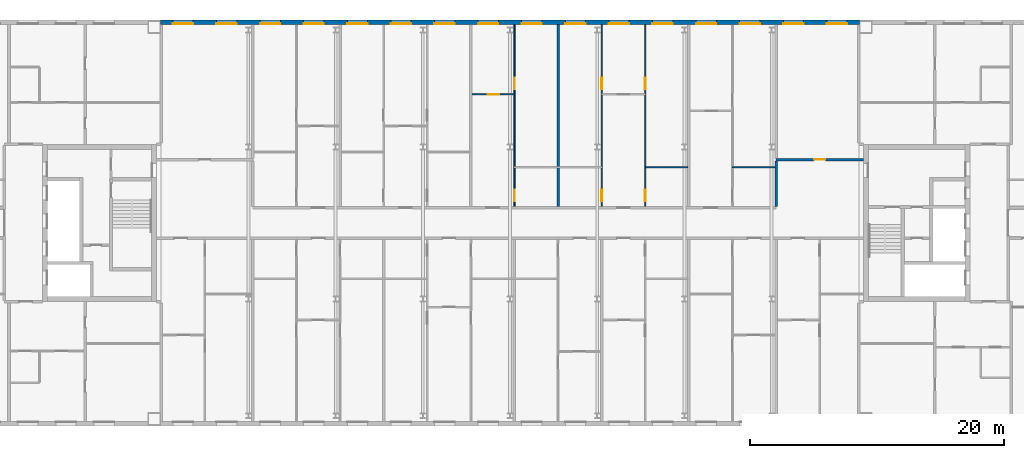
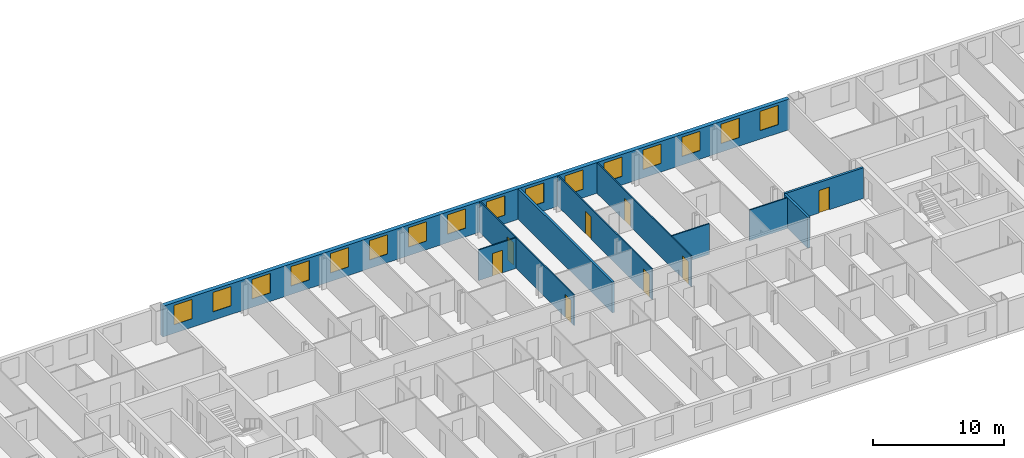
# One storey, part 12 of 19: 16 windows, 10 walls, 8 doors, 24 openings.
"""IFC4 building model written with IfcOpenShell, lengths in metres."""

from ifc_helpers import new_model, si_unit, direction, frame, frame_2d, origin, place, context, subcontext, project, spatial, rectangle, extrude, material, layer, layer_set, type_object, element, fill, save


model = new_model("IFC4")

# Units and contexts
model_context = context("Model", 3, precision=1e-05, world=origin(), true_north=direction((0.0, 1.0)))
body_context = subcontext(model_context, "Body", "Model", "MODEL_VIEW")
ifc_project = project(units=[si_unit("LENGTHUNIT", "METRE"), si_unit("AREAUNIT", "SQUARE_METRE"), si_unit("VOLUMEUNIT", "CUBIC_METRE"), si_unit("PLANEANGLEUNIT", "RADIAN"), si_unit("MASSUNIT", "GRAM", prefix="KILO")], contexts=[model_context])

# Site, building, storey
site_placement = place(None, origin())
site = spatial("IfcSite", under=ifc_project, at=site_placement, CompositionType="ELEMENT")
building_placement = place(site_placement, origin())
building = spatial("IfcBuilding", under=site, at=building_placement, Name="Tuart Gate Housing", CompositionType="ELEMENT")
storey_placement = place(building_placement, frame((0.0, 0.0, 224.5)))
storey = spatial("IfcBuildingStorey", under=building, at=storey_placement, Name="L63", CompositionType="ELEMENT", Elevation=224.5)

# Wall, openings, windows
ifc_material_1 = material(Name="Brick", Category="masonry")
ifc_layer_1 = layer(ifc_material_1, 0.360107421875)
ifc_layer_set_1 = layer_set([ifc_layer_1], Name="Brick pier and spandrel wall 360")
wall_type_1 = type_object("IfcWallType", Name="Brick pier and spandrel wall 360", PredefinedType="STANDARD", material=ifc_layer_set_1)
wall_1_placement = place(storey_placement, frame((131.050048828125, 85.820068359375, 0.0), z_axis=(0.0, 0.0, 1.0), x_axis=(-1.0, 0.0, 0.0)))
wall_1 = element("IfcWall", 1, at=wall_1_placement, inside=storey, type_object=wall_type_1, Name="External wall BLK-N L63", PredefinedType="STANDARD", context=body_context, shape_type="SweptSolid", body=[
    extrude(rectangle(XDim=55.10009765625, YDim=0.360107421875, at=frame_2d((27.550048828125, 0.0))), origin(), (0.0, 0.0, 1.0), 2.85009765625),
])
opening_1_placement = place(wall_1_placement, frame((0.96875, 0.0, 0.800048828125)))
opening_1 = element("IfcOpeningElement", 2, at=opening_1_placement, cuts=wall_1, Name="Opening W1", PredefinedType="OPENING", context=body_context, shape_type="SweptSolid", body=[
    extrude(rectangle(XDim=1.60009765625, YDim=1.800048828125, at=frame_2d((0.800048828125, 0.89990234375))), frame((0.0, 0.18994140625, 0.0), z_axis=(0.0, -1.0, 0.0), x_axis=(1.0, 0.0, 0.0)), (0.0, 0.0, 1.0), 0.380126953125),
])
opening_2_placement = place(wall_1_placement, frame((4.40625, 0.0, 0.800048828125)))
opening_2 = element("IfcOpeningElement", 3, at=opening_2_placement, cuts=wall_1, Name="Opening W1", PredefinedType="OPENING", context=body_context, shape_type="SweptSolid", body=[
    extrude(rectangle(XDim=1.60009765625, YDim=1.800048828125, at=frame_2d((0.800048828125, 0.89990234375))), frame((0.0, 0.18994140625, 0.0), z_axis=(0.0, -1.0, 0.0), x_axis=(1.0, 0.0, 0.0)), (0.0, 0.0, 1.0), 0.380126953125),
])
opening_3_placement = place(wall_1_placement, frame((7.84375, 0.0, 0.800048828125)))
opening_3 = element("IfcOpeningElement", 4, at=opening_3_placement, cuts=wall_1, Name="Opening W1", PredefinedType="OPENING", context=body_context, shape_type="SweptSolid", body=[
    extrude(rectangle(XDim=1.60009765625, YDim=1.800048828125, at=frame_2d((0.800048828125, 0.89990234375))), frame((0.0, 0.18994140625, 0.0), z_axis=(0.0, -1.0, 0.0), x_axis=(1.0, 0.0, 0.0)), (0.0, 0.0, 1.0), 0.380126953125),
])
opening_4_placement = place(wall_1_placement, frame((11.28125, 0.0, 0.800048828125)))
opening_4 = element("IfcOpeningElement", 5, at=opening_4_placement, cuts=wall_1, Name="Opening W1", PredefinedType="OPENING", context=body_context, shape_type="SweptSolid", body=[
    extrude(rectangle(XDim=1.60009765625, YDim=1.800048828125, at=frame_2d((0.800048828125, 0.89990234375))), frame((0.0, 0.18994140625, 0.0), z_axis=(0.0, -1.0, 0.0), x_axis=(1.0, 0.0, 0.0)), (0.0, 0.0, 1.0), 0.380126953125),
])
opening_5_placement = place(wall_1_placement, frame((14.71875, 0.0, 0.800048828125)))
opening_5 = element("IfcOpeningElement", 6, at=opening_5_placement, cuts=wall_1, Name="Opening W1", PredefinedType="OPENING", context=body_context, shape_type="SweptSolid", body=[
    extrude(rectangle(XDim=1.60009765625, YDim=1.800048828125, at=frame_2d((0.800048828125, 0.89990234375))), frame((0.0, 0.18994140625, 0.0), z_axis=(0.0, -1.0, 0.0), x_axis=(1.0, 0.0, 0.0)), (0.0, 0.0, 1.0), 0.380126953125),
])
opening_6_placement = place(wall_1_placement, frame((18.15625, 0.0, 0.800048828125)))
opening_6 = element("IfcOpeningElement", 7, at=opening_6_placement, cuts=wall_1, Name="Opening W1", PredefinedType="OPENING", context=body_context, shape_type="SweptSolid", body=[
    extrude(rectangle(XDim=1.60009765625, YDim=1.800048828125, at=frame_2d((0.800048828125, 0.89990234375))), frame((0.0, 0.18994140625, 0.0), z_axis=(0.0, -1.0, 0.0), x_axis=(1.0, 0.0, 0.0)), (0.0, 0.0, 1.0), 0.380126953125),
])
opening_7_placement = place(wall_1_placement, frame((21.59375, 0.0, 0.800048828125)))
opening_7 = element("IfcOpeningElement", 8, at=opening_7_placement, cuts=wall_1, Name="Opening W1", PredefinedType="OPENING", context=body_context, shape_type="SweptSolid", body=[
    extrude(rectangle(XDim=1.60009765625, YDim=1.800048828125, at=frame_2d((0.800048828125, 0.89990234375))), frame((0.0, 0.18994140625, 0.0), z_axis=(0.0, -1.0, 0.0), x_axis=(1.0, 0.0, 0.0)), (0.0, 0.0, 1.0), 0.380126953125),
])
opening_8_placement = place(wall_1_placement, frame((25.03125, 0.0, 0.800048828125)))
opening_8 = element("IfcOpeningElement", 9, at=opening_8_placement, cuts=wall_1, Name="Opening W1", PredefinedType="OPENING", context=body_context, shape_type="SweptSolid", body=[
    extrude(rectangle(XDim=1.60009765625, YDim=1.800048828125, at=frame_2d((0.800048828125, 0.89990234375))), frame((0.0, 0.18994140625, 0.0), z_axis=(0.0, -1.0, 0.0), x_axis=(1.0, 0.0, 0.0)), (0.0, 0.0, 1.0), 0.380126953125),
])
opening_9_placement = place(wall_1_placement, frame((28.46875, 0.0, 0.800048828125)))
opening_9 = element("IfcOpeningElement", 10, at=opening_9_placement, cuts=wall_1, Name="Opening W1", PredefinedType="OPENING", context=body_context, shape_type="SweptSolid", body=[
    extrude(rectangle(XDim=1.60009765625, YDim=1.800048828125, at=frame_2d((0.800048828125, 0.89990234375))), frame((0.0, 0.18994140625, 0.0), z_axis=(0.0, -1.0, 0.0), x_axis=(1.0, 0.0, 0.0)), (0.0, 0.0, 1.0), 0.380126953125),
])
opening_10_placement = place(wall_1_placement, frame((31.90625, 0.0, 0.800048828125)))
opening_10 = element("IfcOpeningElement", 11, at=opening_10_placement, cuts=wall_1, Name="Opening W1", PredefinedType="OPENING", context=body_context, shape_type="SweptSolid", body=[
    extrude(rectangle(XDim=1.60009765625, YDim=1.800048828125, at=frame_2d((0.800048828125, 0.89990234375))), frame((0.0, 0.18994140625, 0.0), z_axis=(0.0, -1.0, 0.0), x_axis=(1.0, 0.0, 0.0)), (0.0, 0.0, 1.0), 0.380126953125),
])
opening_11_placement = place(wall_1_placement, frame((35.34375, 0.0, 0.800048828125)))
opening_11 = element("IfcOpeningElement", 12, at=opening_11_placement, cuts=wall_1, Name="Opening W1", PredefinedType="OPENING", context=body_context, shape_type="SweptSolid", body=[
    extrude(rectangle(XDim=1.60009765625, YDim=1.800048828125, at=frame_2d((0.800048828125, 0.89990234375))), frame((0.0, 0.18994140625, 0.0), z_axis=(0.0, -1.0, 0.0), x_axis=(1.0, 0.0, 0.0)), (0.0, 0.0, 1.0), 0.380126953125),
])
opening_12_placement = place(wall_1_placement, frame((38.78125, 0.0, 0.800048828125)))
opening_12 = element("IfcOpeningElement", 13, at=opening_12_placement, cuts=wall_1, Name="Opening W1", PredefinedType="OPENING", context=body_context, shape_type="SweptSolid", body=[
    extrude(rectangle(XDim=1.60009765625, YDim=1.800048828125, at=frame_2d((0.800048828125, 0.89990234375))), frame((0.0, 0.18994140625, 0.0), z_axis=(0.0, -1.0, 0.0), x_axis=(1.0, 0.0, 0.0)), (0.0, 0.0, 1.0), 0.380126953125),
])
opening_13_placement = place(wall_1_placement, frame((42.21875, 0.0, 0.800048828125)))
opening_13 = element("IfcOpeningElement", 14, at=opening_13_placement, cuts=wall_1, Name="Opening W1", PredefinedType="OPENING", context=body_context, shape_type="SweptSolid", body=[
    extrude(rectangle(XDim=1.60009765625, YDim=1.800048828125, at=frame_2d((0.800048828125, 0.89990234375))), frame((0.0, 0.18994140625, 0.0), z_axis=(0.0, -1.0, 0.0), x_axis=(1.0, 0.0, 0.0)), (0.0, 0.0, 1.0), 0.380126953125),
])
opening_14_placement = place(wall_1_placement, frame((45.65625, 0.0, 0.800048828125)))
opening_14 = element("IfcOpeningElement", 15, at=opening_14_placement, cuts=wall_1, Name="Opening W1", PredefinedType="OPENING", context=body_context, shape_type="SweptSolid", body=[
    extrude(rectangle(XDim=1.60009765625, YDim=1.800048828125, at=frame_2d((0.800048828125, 0.89990234375))), frame((0.0, 0.18994140625, 0.0), z_axis=(0.0, -1.0, 0.0), x_axis=(1.0, 0.0, 0.0)), (0.0, 0.0, 1.0), 0.380126953125),
])
opening_15_placement = place(wall_1_placement, frame((49.09375, 0.0, 0.800048828125)))
opening_15 = element("IfcOpeningElement", 16, at=opening_15_placement, cuts=wall_1, Name="Opening W1", PredefinedType="OPENING", context=body_context, shape_type="SweptSolid", body=[
    extrude(rectangle(XDim=1.60009765625, YDim=1.800048828125, at=frame_2d((0.800048828125, 0.89990234375))), frame((0.0, 0.18994140625, 0.0), z_axis=(0.0, -1.0, 0.0), x_axis=(1.0, 0.0, 0.0)), (0.0, 0.0, 1.0), 0.380126953125),
])
opening_16_placement = place(wall_1_placement, frame((52.53125, 0.0, 0.800048828125)))
opening_16 = element("IfcOpeningElement", 17, at=opening_16_placement, cuts=wall_1, Name="Opening W1", PredefinedType="OPENING", context=body_context, shape_type="SweptSolid", body=[
    extrude(rectangle(XDim=1.60009765625, YDim=1.800048828125, at=frame_2d((0.800048828125, 0.89990234375))), frame((0.0, 0.18994140625, 0.0), z_axis=(0.0, -1.0, 0.0), x_axis=(1.0, 0.0, 0.0)), (0.0, 0.0, 1.0), 0.380126953125),
])
ifc_material_2 = material(Name="Aluminium frame with clear glass", Category="aluminium")
window_type = type_object("IfcWindowType", Name="Punched window 1600 x 1800", PartitioningType="SINGLE_PANEL", PredefinedType="WINDOW", material=ifc_material_2)
window_1_placement = place(opening_1_placement, origin())
window_1 = element("IfcWindow", 18, at=window_1_placement, inside=storey, type_object=window_type, Name="Window W1", OverallHeight=1.800048828125, OverallWidth=1.60009765625, PartitioningType="SINGLE_PANEL", PredefinedType="WINDOW", context=body_context, shape_type="SweptSolid", body=[
    extrude(rectangle(XDim=1.60009765625, YDim=1.800048828125, at=frame_2d((0.800048828125, 0.89990234375))), frame((0.0, 0.150146484375, 0.0), z_axis=(0.0, -1.0, 0.0), x_axis=(1.0, 0.0, 0.0)), (0.0, 0.0, 1.0), 0.06005859375),
])
fill(opening_1, window_1)
window_2_placement = place(opening_2_placement, origin())
window_2 = element("IfcWindow", 19, at=window_2_placement, inside=storey, type_object=window_type, Name="Window W1", OverallHeight=1.800048828125, OverallWidth=1.60009765625, PartitioningType="SINGLE_PANEL", PredefinedType="WINDOW", context=body_context, shape_type="SweptSolid", body=[
    extrude(rectangle(XDim=1.60009765625, YDim=1.800048828125, at=frame_2d((0.800048828125, 0.89990234375))), frame((0.0, 0.150146484375, 0.0), z_axis=(0.0, -1.0, 0.0), x_axis=(1.0, 0.0, 0.0)), (0.0, 0.0, 1.0), 0.06005859375),
])
fill(opening_2, window_2)
window_3_placement = place(opening_3_placement, origin())
window_3 = element("IfcWindow", 20, at=window_3_placement, inside=storey, type_object=window_type, Name="Window W1", OverallHeight=1.800048828125, OverallWidth=1.60009765625, PartitioningType="SINGLE_PANEL", PredefinedType="WINDOW", context=body_context, shape_type="SweptSolid", body=[
    extrude(rectangle(XDim=1.60009765625, YDim=1.800048828125, at=frame_2d((0.800048828125, 0.89990234375))), frame((0.0, 0.150146484375, 0.0), z_axis=(0.0, -1.0, 0.0), x_axis=(1.0, 0.0, 0.0)), (0.0, 0.0, 1.0), 0.06005859375),
])
fill(opening_3, window_3)
window_4_placement = place(opening_4_placement, origin())
window_4 = element("IfcWindow", 21, at=window_4_placement, inside=storey, type_object=window_type, Name="Window W1", OverallHeight=1.800048828125, OverallWidth=1.60009765625, PartitioningType="SINGLE_PANEL", PredefinedType="WINDOW", context=body_context, shape_type="SweptSolid", body=[
    extrude(rectangle(XDim=1.60009765625, YDim=1.800048828125, at=frame_2d((0.800048828125, 0.89990234375))), frame((0.0, 0.150146484375, 0.0), z_axis=(0.0, -1.0, 0.0), x_axis=(1.0, 0.0, 0.0)), (0.0, 0.0, 1.0), 0.06005859375),
])
fill(opening_4, window_4)
window_5_placement = place(opening_5_placement, origin())
window_5 = element("IfcWindow", 22, at=window_5_placement, inside=storey, type_object=window_type, Name="Window W1", OverallHeight=1.800048828125, OverallWidth=1.60009765625, PartitioningType="SINGLE_PANEL", PredefinedType="WINDOW", context=body_context, shape_type="SweptSolid", body=[
    extrude(rectangle(XDim=1.60009765625, YDim=1.800048828125, at=frame_2d((0.800048828125, 0.89990234375))), frame((0.0, 0.150146484375, 0.0), z_axis=(0.0, -1.0, 0.0), x_axis=(1.0, 0.0, 0.0)), (0.0, 0.0, 1.0), 0.06005859375),
])
fill(opening_5, window_5)
window_6_placement = place(opening_6_placement, origin())
window_6 = element("IfcWindow", 23, at=window_6_placement, inside=storey, type_object=window_type, Name="Window W1", OverallHeight=1.800048828125, OverallWidth=1.60009765625, PartitioningType="SINGLE_PANEL", PredefinedType="WINDOW", context=body_context, shape_type="SweptSolid", body=[
    extrude(rectangle(XDim=1.60009765625, YDim=1.800048828125, at=frame_2d((0.800048828125, 0.89990234375))), frame((0.0, 0.150146484375, 0.0), z_axis=(0.0, -1.0, 0.0), x_axis=(1.0, 0.0, 0.0)), (0.0, 0.0, 1.0), 0.06005859375),
])
fill(opening_6, window_6)
window_7_placement = place(opening_7_placement, origin())
window_7 = element("IfcWindow", 24, at=window_7_placement, inside=storey, type_object=window_type, Name="Window W1", OverallHeight=1.800048828125, OverallWidth=1.60009765625, PartitioningType="SINGLE_PANEL", PredefinedType="WINDOW", context=body_context, shape_type="SweptSolid", body=[
    extrude(rectangle(XDim=1.60009765625, YDim=1.800048828125, at=frame_2d((0.800048828125, 0.89990234375))), frame((0.0, 0.150146484375, 0.0), z_axis=(0.0, -1.0, 0.0), x_axis=(1.0, 0.0, 0.0)), (0.0, 0.0, 1.0), 0.06005859375),
])
fill(opening_7, window_7)
window_8_placement = place(opening_8_placement, origin())
window_8 = element("IfcWindow", 25, at=window_8_placement, inside=storey, type_object=window_type, Name="Window W1", OverallHeight=1.800048828125, OverallWidth=1.60009765625, PartitioningType="SINGLE_PANEL", PredefinedType="WINDOW", context=body_context, shape_type="SweptSolid", body=[
    extrude(rectangle(XDim=1.60009765625, YDim=1.800048828125, at=frame_2d((0.800048828125, 0.89990234375))), frame((0.0, 0.150146484375, 0.0), z_axis=(0.0, -1.0, 0.0), x_axis=(1.0, 0.0, 0.0)), (0.0, 0.0, 1.0), 0.06005859375),
])
fill(opening_8, window_8)
window_9_placement = place(opening_9_placement, origin())
window_9 = element("IfcWindow", 26, at=window_9_placement, inside=storey, type_object=window_type, Name="Window W1", OverallHeight=1.800048828125, OverallWidth=1.60009765625, PartitioningType="SINGLE_PANEL", PredefinedType="WINDOW", context=body_context, shape_type="SweptSolid", body=[
    extrude(rectangle(XDim=1.60009765625, YDim=1.800048828125, at=frame_2d((0.800048828125, 0.89990234375))), frame((0.0, 0.150146484375, 0.0), z_axis=(0.0, -1.0, 0.0), x_axis=(1.0, 0.0, 0.0)), (0.0, 0.0, 1.0), 0.06005859375),
])
fill(opening_9, window_9)
window_10_placement = place(opening_10_placement, origin())
window_10 = element("IfcWindow", 27, at=window_10_placement, inside=storey, type_object=window_type, Name="Window W1", OverallHeight=1.800048828125, OverallWidth=1.60009765625, PartitioningType="SINGLE_PANEL", PredefinedType="WINDOW", context=body_context, shape_type="SweptSolid", body=[
    extrude(rectangle(XDim=1.60009765625, YDim=1.800048828125, at=frame_2d((0.800048828125, 0.89990234375))), frame((0.0, 0.150146484375, 0.0), z_axis=(0.0, -1.0, 0.0), x_axis=(1.0, 0.0, 0.0)), (0.0, 0.0, 1.0), 0.06005859375),
])
fill(opening_10, window_10)
window_11_placement = place(opening_11_placement, origin())
window_11 = element("IfcWindow", 28, at=window_11_placement, inside=storey, type_object=window_type, Name="Window W1", OverallHeight=1.800048828125, OverallWidth=1.60009765625, PartitioningType="SINGLE_PANEL", PredefinedType="WINDOW", context=body_context, shape_type="SweptSolid", body=[
    extrude(rectangle(XDim=1.60009765625, YDim=1.800048828125, at=frame_2d((0.800048828125, 0.89990234375))), frame((0.0, 0.150146484375, 0.0), z_axis=(0.0, -1.0, 0.0), x_axis=(1.0, 0.0, 0.0)), (0.0, 0.0, 1.0), 0.06005859375),
])
fill(opening_11, window_11)
window_12_placement = place(opening_12_placement, origin())
window_12 = element("IfcWindow", 29, at=window_12_placement, inside=storey, type_object=window_type, Name="Window W1", OverallHeight=1.800048828125, OverallWidth=1.60009765625, PartitioningType="SINGLE_PANEL", PredefinedType="WINDOW", context=body_context, shape_type="SweptSolid", body=[
    extrude(rectangle(XDim=1.60009765625, YDim=1.800048828125, at=frame_2d((0.800048828125, 0.89990234375))), frame((0.0, 0.150146484375, 0.0), z_axis=(0.0, -1.0, 0.0), x_axis=(1.0, 0.0, 0.0)), (0.0, 0.0, 1.0), 0.06005859375),
])
fill(opening_12, window_12)
window_13_placement = place(opening_13_placement, origin())
window_13 = element("IfcWindow", 30, at=window_13_placement, inside=storey, type_object=window_type, Name="Window W1", OverallHeight=1.800048828125, OverallWidth=1.60009765625, PartitioningType="SINGLE_PANEL", PredefinedType="WINDOW", context=body_context, shape_type="SweptSolid", body=[
    extrude(rectangle(XDim=1.60009765625, YDim=1.800048828125, at=frame_2d((0.800048828125, 0.89990234375))), frame((0.0, 0.150146484375, 0.0), z_axis=(0.0, -1.0, 0.0), x_axis=(1.0, 0.0, 0.0)), (0.0, 0.0, 1.0), 0.06005859375),
])
fill(opening_13, window_13)
window_14_placement = place(opening_14_placement, origin())
window_14 = element("IfcWindow", 31, at=window_14_placement, inside=storey, type_object=window_type, Name="Window W1", OverallHeight=1.800048828125, OverallWidth=1.60009765625, PartitioningType="SINGLE_PANEL", PredefinedType="WINDOW", context=body_context, shape_type="SweptSolid", body=[
    extrude(rectangle(XDim=1.60009765625, YDim=1.800048828125, at=frame_2d((0.800048828125, 0.89990234375))), frame((0.0, 0.150146484375, 0.0), z_axis=(0.0, -1.0, 0.0), x_axis=(1.0, 0.0, 0.0)), (0.0, 0.0, 1.0), 0.06005859375),
])
fill(opening_14, window_14)
window_15_placement = place(opening_15_placement, origin())
window_15 = element("IfcWindow", 32, at=window_15_placement, inside=storey, type_object=window_type, Name="Window W1", OverallHeight=1.800048828125, OverallWidth=1.60009765625, PartitioningType="SINGLE_PANEL", PredefinedType="WINDOW", context=body_context, shape_type="SweptSolid", body=[
    extrude(rectangle(XDim=1.60009765625, YDim=1.800048828125, at=frame_2d((0.800048828125, 0.89990234375))), frame((0.0, 0.150146484375, 0.0), z_axis=(0.0, -1.0, 0.0), x_axis=(1.0, 0.0, 0.0)), (0.0, 0.0, 1.0), 0.06005859375),
])
fill(opening_15, window_15)
window_16_placement = place(opening_16_placement, origin())
window_16 = element("IfcWindow", 33, at=window_16_placement, inside=storey, type_object=window_type, Name="Window W1", OverallHeight=1.800048828125, OverallWidth=1.60009765625, PartitioningType="SINGLE_PANEL", PredefinedType="WINDOW", context=body_context, shape_type="SweptSolid", body=[
    extrude(rectangle(XDim=1.60009765625, YDim=1.800048828125, at=frame_2d((0.800048828125, 0.89990234375))), frame((0.0, 0.150146484375, 0.0), z_axis=(0.0, -1.0, 0.0), x_axis=(1.0, 0.0, 0.0)), (0.0, 0.0, 1.0), 0.06005859375),
])
fill(opening_16, window_16)

# Wall, opening, door
ifc_material_3 = material(Name="Concrete masonry 15 MPa", Category="masonry")
ifc_layer_2 = layer(ifc_material_3, 0.199951171875)
ifc_layer_set_2 = layer_set([ifc_layer_2], Name="Corridor wall masonry 200")
wall_type_2 = type_object("IfcWallType", Name="Corridor wall masonry 200", PredefinedType="PARTITIONING", material=ifc_layer_set_2)
wall_2_placement = place(storey_placement, frame((124.47509765625, 75.0, 0.0), z_axis=(0.0, 0.0, 1.0), x_axis=(1.0, 0.0, 0.0)))
wall_2 = element("IfcWall", 34, at=wall_2_placement, inside=storey, type_object=wall_type_2, Name="Corridor wall masonry 200", PredefinedType="PARTITIONING", context=body_context, shape_type="SweptSolid", body=[
    extrude(rectangle(XDim=6.885009765625, YDim=0.199951171875, at=frame_2d((3.4423828125, 0.0))), origin(), (0.0, 0.0, 1.0), 2.85009765625),
])
opening_17_placement = place(wall_2_placement, frame((2.992431640625, 0.0, 0.0)))
opening_17 = element("IfcOpeningElement", 35, at=opening_17_placement, cuts=wall_2, Name="Opening D2353", PredefinedType="OPENING", context=body_context, shape_type="SweptSolid", body=[
    extrude(rectangle(XDim=0.89990234375, YDim=2.10009765625, at=frame_2d((0.449951171875, 1.050048828125))), frame((0.0, 0.10986328125, 0.0), z_axis=(0.0, -1.0, 0.0), x_axis=(1.0, 0.0, 0.0)), (0.0, 0.0, 1.0), 0.219970703125),
])
ifc_material_4 = material(Name="Timber door leaf in steel frame", Category="steel")
door_type_1 = type_object("IfcDoorType", Name="Internal door 900", OperationType="SINGLE_SWING_LEFT", PredefinedType="DOOR", material=ifc_material_4)
door_1_placement = place(opening_17_placement, origin())
door_1 = element("IfcDoor", 36, at=door_1_placement, inside=storey, type_object=door_type_1, Name="Internal door", OperationType="SINGLE_SWING_LEFT", OverallHeight=2.10009765625, OverallWidth=0.89990234375, PredefinedType="DOOR", context=body_context, shape_type="SweptSolid", body=[
    extrude(rectangle(XDim=0.89990234375, YDim=2.10009765625, at=frame_2d((0.449951171875, 1.050048828125))), frame((0.0, 0.02490234375, 0.0), z_axis=(0.0, -1.0, 0.0), x_axis=(1.0, 0.0, 0.0)), (0.0, 0.0, 1.0), 0.050048828125),
])
fill(opening_17, door_1)

# Walls
wall_3_placement = place(storey_placement, frame((124.47509765625, 71.300048828125, 0.0), z_axis=(0.0, 0.0, 1.0), x_axis=(0.0, 1.0, 0.0)))
element("IfcWall", 37, at=wall_3_placement, inside=storey, type_object=wall_type_2, Name="Corridor wall masonry 200", PredefinedType="PARTITIONING", context=body_context, shape_type="SweptSolid", body=[
    extrude(rectangle(XDim=3.599853515625, YDim=0.199951171875, at=frame_2d((1.7998046875, 0.0))), origin(), (0.0, 0.0, 1.0), 2.85009765625),
])
ifc_material_5 = material(Name="Gypsum board on steel studs", Category="steel")
ifc_layer_3 = layer(ifc_material_5, 0.10009765625)
ifc_layer_set_3 = layer_set([ifc_layer_3], Name="Partition 100")
wall_type_3 = type_object("IfcWallType", Name="Partition 100", PredefinedType="PARTITIONING", material=ifc_layer_set_3)
for number, where, z_axis, x_axis, name in (
    (38, (114.162109375, 74.39990234375, 0.0), (0.0, 0.0, 1.0), (1.0, 0.0, 0.0), "Partition 100"),
    (39, (121.037109375, 74.39990234375, 0.0), (0.0, 0.0, 1.0), (1.0, 0.0, 0.0), "Partition 100"),
):
    element("IfcWall", number, at=place(storey_placement, frame(where, z_axis=z_axis, x_axis=x_axis)), inside=storey, type_object=wall_type_3, Name=name, PredefinedType="PARTITIONING", context=body_context, shape_type="SweptSolid", body=[
        extrude(rectangle(XDim=3.337890625, YDim=0.10009765625, at=frame_2d((1.6689453125, 0.0))), origin(), (0.0, 0.0, 1.0), 2.85009765625),
    ])

# Wall, opening, door
wall_4_placement = place(storey_placement, frame((100.511962890625, 80.139892578125, 0.0), z_axis=(0.0, 0.0, 1.0), x_axis=(1.0, 0.0, 0.0)))
wall_4 = element("IfcWall", 40, at=wall_4_placement, inside=storey, type_object=wall_type_3, Name="Partition 100", PredefinedType="PARTITIONING", context=body_context, shape_type="SweptSolid", body=[
    extrude(rectangle(XDim=3.338134765625, YDim=0.10009765625, at=frame_2d((1.6689453125, 0.0))), origin(), (0.0, 0.0, 1.0), 2.85009765625),
])
opening_18_placement = place(wall_4_placement, frame((1.218994140625, 0.0, 0.0)))
opening_18 = element("IfcOpeningElement", 41, at=opening_18_placement, cuts=wall_4, Name="Opening D2333", PredefinedType="OPENING", context=body_context, shape_type="SweptSolid", body=[
    extrude(rectangle(XDim=0.89990234375, YDim=2.10009765625, at=frame_2d((0.449951171875, 1.050048828125))), frame((0.0, 0.06005859375, 0.0), z_axis=(0.0, -1.0, 0.0), x_axis=(1.0, 0.0, 0.0)), (0.0, 0.0, 1.0), 0.1201171875),
])
door_2_placement = place(opening_18_placement, frame((0.89990234375, 0.0, 0.0), z_axis=(0.0, 0.0, 1.0), x_axis=(-1.0, 0.0, 0.0)))
door_2 = element("IfcDoor", 42, at=door_2_placement, inside=storey, type_object=door_type_1, Name="Internal door", OperationType="SINGLE_SWING_LEFT", OverallHeight=2.10009765625, OverallWidth=0.89990234375, PredefinedType="DOOR", context=body_context, shape_type="SweptSolid", body=[
    extrude(rectangle(XDim=0.89990234375, YDim=2.10009765625, at=frame_2d((0.449951171875, 1.050048828125))), frame((0.0, 0.025146484375, 0.0), z_axis=(0.0, -1.0, 0.0), x_axis=(1.0, 0.0, 0.0)), (0.0, 0.0, 1.0), 0.050048828125),
])
fill(opening_18, door_2)

# Wall, openings, doors
wall_5_placement = place(storey_placement, frame((103.85009765625, 71.300048828125, 0.0), z_axis=(0.0, 0.0, 1.0), x_axis=(0.0, 1.0, 0.0)))
wall_5 = element("IfcWall", 43, at=wall_5_placement, inside=storey, type_object=wall_type_3, Name="Partition 100", PredefinedType="PARTITIONING", context=body_context, shape_type="SweptSolid", body=[
    extrude(rectangle(XDim=14.33984375, YDim=0.10009765625, at=frame_2d((7.169921875, 0.0))), origin(), (0.0, 0.0, 1.0), 2.85009765625),
])
opening_19_placement = place(wall_5_placement, frame((9.239990234375, 0.0, 0.0)))
opening_19 = element("IfcOpeningElement", 44, at=opening_19_placement, cuts=wall_5, Name="Opening D2343", PredefinedType="OPENING", context=body_context, shape_type="SweptSolid", body=[
    extrude(rectangle(XDim=0.89990234375, YDim=2.10009765625, at=frame_2d((0.449951171875, 1.050048828125))), frame((0.0, 0.06005859375, 0.0), z_axis=(0.0, -1.0, 0.0), x_axis=(1.0, 0.0, 0.0)), (0.0, 0.0, 1.0), 0.1201171875),
])
opening_20_placement = place(wall_5_placement, frame((0.39990234375, 0.0, 0.0)))
opening_20 = element("IfcOpeningElement", 45, at=opening_20_placement, cuts=wall_5, Name="Opening D2342", PredefinedType="OPENING", context=body_context, shape_type="SweptSolid", body=[
    extrude(rectangle(XDim=0.89990234375, YDim=2.10009765625, at=frame_2d((0.449951171875, 1.050048828125))), frame((0.0, 0.06005859375, 0.0), z_axis=(0.0, -1.0, 0.0), x_axis=(1.0, 0.0, 0.0)), (0.0, 0.0, 1.0), 0.1201171875),
])
ifc_material_6 = material(Name="Timber door leaf in steel frame", Category="steel")
door_type_2 = type_object("IfcDoorType", Name="Bathroom door 900 RH", OperationType="SINGLE_SWING_RIGHT", PredefinedType="DOOR", material=ifc_material_6)
door_3_placement = place(opening_20_placement, frame((0.89990234375, 0.0, 0.0), z_axis=(0.0, 0.0, 1.0), x_axis=(-1.0, 0.0, 0.0)))
door_3 = element("IfcDoor", 46, at=door_3_placement, inside=storey, type_object=door_type_2, Name="Bathroom door", OperationType="SINGLE_SWING_RIGHT", OverallHeight=2.10009765625, OverallWidth=0.89990234375, PredefinedType="DOOR", context=body_context, shape_type="SweptSolid", body=[
    extrude(rectangle(XDim=0.89990234375, YDim=2.10009765625, at=frame_2d((0.449951171875, 1.050048828125))), frame((0.0, 0.025146484375, 0.0), z_axis=(0.0, -1.0, 0.0), x_axis=(1.0, 0.0, 0.0)), (0.0, 0.0, 1.0), 0.050048828125),
])
fill(opening_20, door_3)
door_4_placement = place(opening_19_placement, frame((0.89990234375, 0.0, 0.0), z_axis=(0.0, 0.0, 1.0), x_axis=(-1.0, 0.0, 0.0)))
door_4 = element("IfcDoor", 47, at=door_4_placement, inside=storey, type_object=door_type_1, Name="Internal door", OperationType="SINGLE_SWING_LEFT", OverallHeight=2.10009765625, OverallWidth=0.89990234375, PredefinedType="DOOR", context=body_context, shape_type="SweptSolid", body=[
    extrude(rectangle(XDim=0.89990234375, YDim=2.10009765625, at=frame_2d((0.449951171875, 1.050048828125))), frame((0.0, 0.025146484375, 0.0), z_axis=(0.0, -1.0, 0.0), x_axis=(1.0, 0.0, 0.0)), (0.0, 0.0, 1.0), 0.050048828125),
])
fill(opening_19, door_4)

wall_6_placement = place(storey_placement, frame((110.72509765625, 71.300048828125, 0.0), z_axis=(0.0, 0.0, 1.0), x_axis=(0.0, 1.0, 0.0)))
wall_6 = element("IfcWall", 48, at=wall_6_placement, inside=storey, type_object=wall_type_3, Name="Partition 100", PredefinedType="PARTITIONING", context=body_context, shape_type="SweptSolid", body=[
    extrude(rectangle(XDim=14.33984375, YDim=0.10009765625, at=frame_2d((7.169921875, 0.0))), origin(), (0.0, 0.0, 1.0), 2.85009765625),
])
opening_21_placement = place(wall_6_placement, frame((9.239990234375, 0.0, 0.0)))
opening_21 = element("IfcOpeningElement", 49, at=opening_21_placement, cuts=wall_6, Name="Opening D2345", PredefinedType="OPENING", context=body_context, shape_type="SweptSolid", body=[
    extrude(rectangle(XDim=0.89990234375, YDim=2.10009765625, at=frame_2d((0.449951171875, 1.050048828125))), frame((0.0, 0.06005859375, 0.0), z_axis=(0.0, -1.0, 0.0), x_axis=(1.0, 0.0, 0.0)), (0.0, 0.0, 1.0), 0.1201171875),
])
opening_22_placement = place(wall_6_placement, frame((0.39990234375, 0.0, 0.0)))
opening_22 = element("IfcOpeningElement", 50, at=opening_22_placement, cuts=wall_6, Name="Opening D2344", PredefinedType="OPENING", context=body_context, shape_type="SweptSolid", body=[
    extrude(rectangle(XDim=0.89990234375, YDim=2.10009765625, at=frame_2d((0.449951171875, 1.050048828125))), frame((0.0, 0.06005859375, 0.0), z_axis=(0.0, -1.0, 0.0), x_axis=(1.0, 0.0, 0.0)), (0.0, 0.0, 1.0), 0.1201171875),
])
ifc_material_7 = material(Name="Timber door leaf in steel frame", Category="steel")
door_type_3 = type_object("IfcDoorType", Name="Bathroom door 900", OperationType="SINGLE_SWING_LEFT", PredefinedType="DOOR", material=ifc_material_7)
door_5_placement = place(opening_22_placement, origin())
door_5 = element("IfcDoor", 51, at=door_5_placement, inside=storey, type_object=door_type_3, Name="Bathroom door", OperationType="SINGLE_SWING_LEFT", OverallHeight=2.10009765625, OverallWidth=0.89990234375, PredefinedType="DOOR", context=body_context, shape_type="SweptSolid", body=[
    extrude(rectangle(XDim=0.89990234375, YDim=2.10009765625, at=frame_2d((0.449951171875, 1.050048828125))), frame((0.0, 0.02490234375, 0.0), z_axis=(0.0, -1.0, 0.0), x_axis=(1.0, 0.0, 0.0)), (0.0, 0.0, 1.0), 0.050048828125),
])
fill(opening_22, door_5)
ifc_material_8 = material(Name="Timber door leaf in steel frame", Category="steel")
door_type_4 = type_object("IfcDoorType", Name="Internal door 900 RH", OperationType="SINGLE_SWING_RIGHT", PredefinedType="DOOR", material=ifc_material_8)
door_6_placement = place(opening_21_placement, origin())
door_6 = element("IfcDoor", 52, at=door_6_placement, inside=storey, type_object=door_type_4, Name="Internal door", OperationType="SINGLE_SWING_RIGHT", OverallHeight=2.10009765625, OverallWidth=0.89990234375, PredefinedType="DOOR", context=body_context, shape_type="SweptSolid", body=[
    extrude(rectangle(XDim=0.89990234375, YDim=2.10009765625, at=frame_2d((0.449951171875, 1.050048828125))), frame((0.0, 0.02490234375, 0.0), z_axis=(0.0, -1.0, 0.0), x_axis=(1.0, 0.0, 0.0)), (0.0, 0.0, 1.0), 0.050048828125),
])
fill(opening_21, door_6)

wall_7_placement = place(storey_placement, frame((114.162109375, 71.300048828125, 0.0), z_axis=(0.0, 0.0, 1.0), x_axis=(0.0, 1.0, 0.0)))
wall_7 = element("IfcWall", 53, at=wall_7_placement, inside=storey, type_object=wall_type_3, Name="Partition 100", PredefinedType="PARTITIONING", context=body_context, shape_type="SweptSolid", body=[
    extrude(rectangle(XDim=14.33984375, YDim=0.10009765625, at=frame_2d((7.169921875, 0.0))), origin(), (0.0, 0.0, 1.0), 2.85009765625),
])
opening_23_placement = place(wall_7_placement, frame((9.239990234375, 0.0, 0.0)))
opening_23 = element("IfcOpeningElement", 54, at=opening_23_placement, cuts=wall_7, Name="Opening D2347", PredefinedType="OPENING", context=body_context, shape_type="SweptSolid", body=[
    extrude(rectangle(XDim=0.89990234375, YDim=2.10009765625, at=frame_2d((0.449951171875, 1.050048828125))), frame((0.0, 0.06005859375, 0.0), z_axis=(0.0, -1.0, 0.0), x_axis=(1.0, 0.0, 0.0)), (0.0, 0.0, 1.0), 0.1201171875),
])
opening_24_placement = place(wall_7_placement, frame((0.39990234375, 0.0, 0.0)))
opening_24 = element("IfcOpeningElement", 55, at=opening_24_placement, cuts=wall_7, Name="Opening D2346", PredefinedType="OPENING", context=body_context, shape_type="SweptSolid", body=[
    extrude(rectangle(XDim=0.89990234375, YDim=2.10009765625, at=frame_2d((0.449951171875, 1.050048828125))), frame((0.0, 0.06005859375, 0.0), z_axis=(0.0, -1.0, 0.0), x_axis=(1.0, 0.0, 0.0)), (0.0, 0.0, 1.0), 0.1201171875),
])
door_7_placement = place(opening_24_placement, frame((0.89990234375, 0.0, 0.0), z_axis=(0.0, 0.0, 1.0), x_axis=(-1.0, 0.0, 0.0)))
door_7 = element("IfcDoor", 56, at=door_7_placement, inside=storey, type_object=door_type_2, Name="Bathroom door", OperationType="SINGLE_SWING_RIGHT", OverallHeight=2.10009765625, OverallWidth=0.89990234375, PredefinedType="DOOR", context=body_context, shape_type="SweptSolid", body=[
    extrude(rectangle(XDim=0.89990234375, YDim=2.10009765625, at=frame_2d((0.449951171875, 1.050048828125))), frame((0.0, 0.025146484375, 0.0), z_axis=(0.0, -1.0, 0.0), x_axis=(1.0, 0.0, 0.0)), (0.0, 0.0, 1.0), 0.050048828125),
])
fill(opening_24, door_7)
door_8_placement = place(opening_23_placement, frame((0.89990234375, 0.0, 0.0), z_axis=(0.0, 0.0, 1.0), x_axis=(-1.0, 0.0, 0.0)))
door_8 = element("IfcDoor", 57, at=door_8_placement, inside=storey, type_object=door_type_1, Name="Internal door", OperationType="SINGLE_SWING_LEFT", OverallHeight=2.10009765625, OverallWidth=0.89990234375, PredefinedType="DOOR", context=body_context, shape_type="SweptSolid", body=[
    extrude(rectangle(XDim=0.89990234375, YDim=2.10009765625, at=frame_2d((0.449951171875, 1.050048828125))), frame((0.0, 0.025146484375, 0.0), z_axis=(0.0, -1.0, 0.0), x_axis=(1.0, 0.0, 0.0)), (0.0, 0.0, 1.0), 0.050048828125),
])
fill(opening_23, door_8)

# Wall
ifc_material_9 = material(Name="Concrete masonry 15 MPa", Category="masonry")
ifc_layer_4 = layer(ifc_material_9, 0.199951171875)
ifc_layer_set_4 = layer_set([ifc_layer_4], Name="Party wall masonry 200")
wall_type_4 = type_object("IfcWallType", Name="Party wall masonry 200", PredefinedType="PARTITIONING", material=ifc_layer_set_4)
wall_8_placement = place(storey_placement, frame((107.287109375, 71.300048828125, 0.0), z_axis=(0.0, 0.0, 1.0), x_axis=(0.0, 1.0, 0.0)))
element("IfcWall", 58, at=wall_8_placement, inside=storey, type_object=wall_type_4, Name="Party wall masonry 200", PredefinedType="PARTITIONING", context=body_context, shape_type="SweptSolid", body=[
    extrude(rectangle(XDim=14.33984375, YDim=0.199951171875, at=frame_2d((7.169921875, 0.0))), origin(), (0.0, 0.0, 1.0), 2.85009765625),
])

save(model, "model.ifc")
